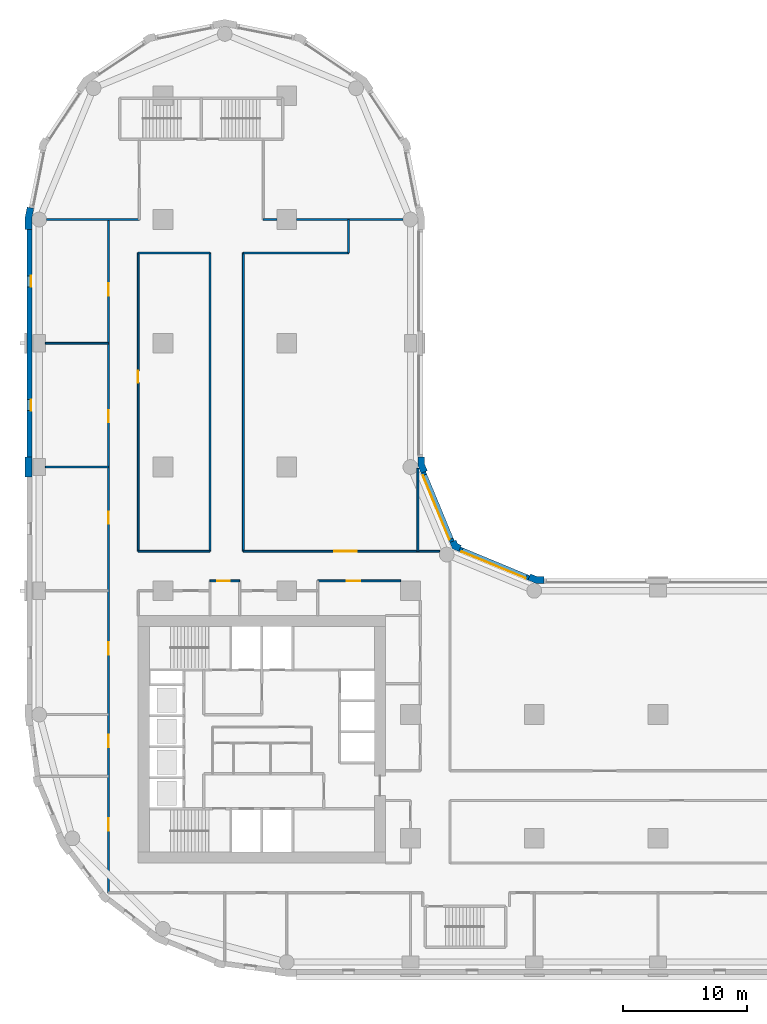
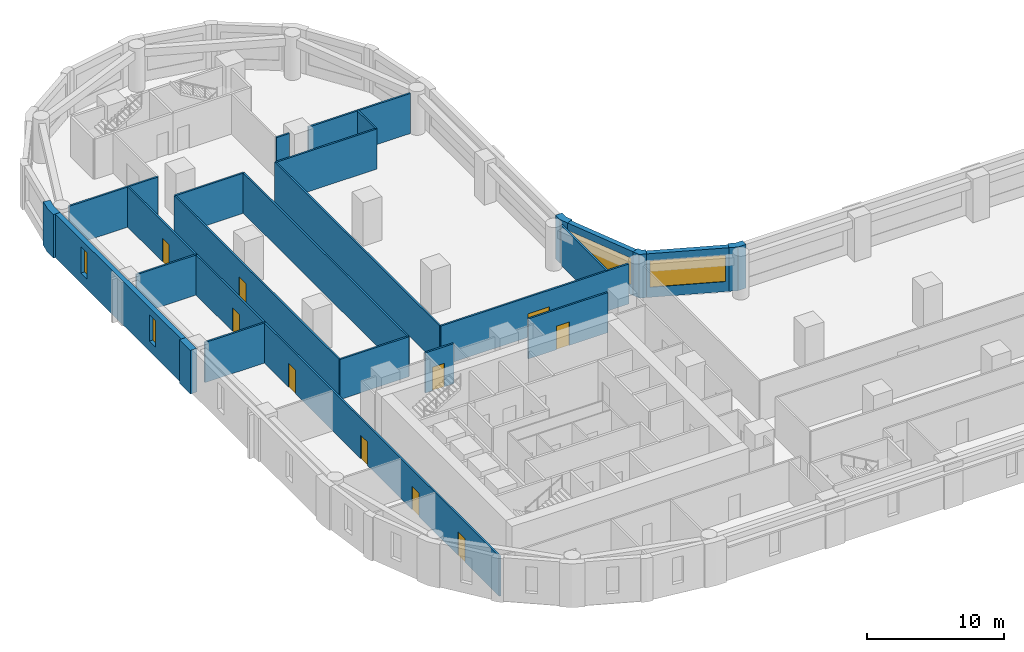
# One storey, part 5 of 10: 25 walls, 10 doors, 4 windows, 14 openings.
"""IFC4 building model written with IfcOpenShell, lengths in metres."""

from ifc_helpers import new_model, si_unit, direction, frame, frame_2d, origin, place, context, subcontext, project, spatial, polyline, rectangle, outline, extrude, material, layer, layer_set, type_object, element, fill, save


model = new_model("IFC4")

# Units and contexts
model_context = context("Model", 3, precision=1e-05, world=origin(), true_north=direction((0.0, 1.0)))
body_context = subcontext(model_context, "Body", "Model", "MODEL_VIEW")
ifc_project = project(units=[si_unit("LENGTHUNIT", "METRE"), si_unit("AREAUNIT", "SQUARE_METRE"), si_unit("VOLUMEUNIT", "CUBIC_METRE"), si_unit("PLANEANGLEUNIT", "RADIAN"), si_unit("MASSUNIT", "GRAM", prefix="KILO")], contexts=[model_context])

# Site, building, storey
site_placement = place(None, origin())
site = spatial("IfcSite", under=ifc_project, at=site_placement, CompositionType="ELEMENT")
building_placement = place(site_placement, origin())
building = spatial("IfcBuilding", under=site, at=building_placement, Name="Qaws Garden Tower", CompositionType="ELEMENT")
storey_placement = place(building_placement, frame((0.0, 0.0, 47.10009765625)))
storey = spatial("IfcBuildingStorey", under=building, at=storey_placement, Name="L11", CompositionType="ELEMENT", Elevation=47.10009765625)

# Wall, opening, window
ifc_material_1 = material(Name="Clay facing brick masonry", Category="masonry")
ifc_layer_1 = layer(ifc_material_1, 0.39990234375)
ifc_layer_set_1 = layer_set([ifc_layer_1], Name="Clay facing brick masonry")
wall_type_1 = type_object("IfcWallType", Name="Brick infill wall 400", PredefinedType="SOLIDWALL", material=ifc_layer_set_1)
wall_1_placement = place(storey_placement, frame((39.56689453125, 31.04541015625, 0.0), z_axis=(0.0, 0.0, 1.0), x_axis=(-0.923891000409, 0.382655745237, 0.0)))
wall_1 = element("IfcWall", 1, at=wall_1_placement, inside=storey, type_object=wall_type_1, Name="E-L11-infill-11", PredefinedType="SOLIDWALL", context=body_context, shape_type="SweptSolid", body=[
    extrude(rectangle(XDim=6.053466796875, YDim=0.39990234375, at=frame_2d((3.02685546875, 0.0))), origin(), (0.0, 0.0, 1.0), 3.89990234375),
])
opening_1_placement = place(wall_1_placement, frame((0.226806640625, 0.0, 0.89990234375)))
opening_1 = element("IfcOpeningElement", 2, at=opening_1_placement, cuts=wall_1, Name="Opening W04", PredefinedType="OPENING", context=body_context, shape_type="SweptSolid", body=[
    extrude(rectangle(XDim=5.60009765625, YDim=2.35009765625, at=frame_2d((2.800048828125, 1.175048828125))), frame((0.0, 0.2099609375, 0.0), z_axis=(0.0, -1.0, 0.0), x_axis=(1.0, 0.0, 0.0)), (0.0, 0.0, 1.0), 0.419921875),
])
ifc_material_2 = material(Name="Aluminium framed window, clear glazing", Category="aluminium")
window_type_1 = type_object("IfcWindowType", Name="Ribbon window 5600 x 2350", PartitioningType="DOUBLE_PANEL_VERTICAL", PredefinedType="WINDOW", material=ifc_material_2)
window_1_placement = place(opening_1_placement, origin())
window_1 = element("IfcWindow", 3, at=window_1_placement, inside=storey, type_object=window_type_1, Name="E-L11-window-11-0", OverallHeight=2.35009765625, OverallWidth=5.60009765625, PartitioningType="SINGLE_PANEL", PredefinedType="WINDOW", context=body_context, shape_type="SweptSolid", body=[
    extrude(rectangle(XDim=5.60009765625, YDim=2.35009765625, at=frame_2d((2.800048828125, 1.175048828125))), frame((0.0, 0.159912109375, 0.0), z_axis=(0.0, -1.0, 0.0), x_axis=(1.0, 0.0, 0.0)), (0.0, 0.0, 1.0), 0.06005859375),
])
fill(opening_1, window_1)

wall_2_placement = place(storey_placement, frame((33.36181640625, 33.97412109375, 0.0), z_axis=(0.0, 0.0, 1.0), x_axis=(-0.382655745237, 0.923891000409, 0.0)))
wall_2 = element("IfcWall", 4, at=wall_2_placement, inside=storey, type_object=wall_type_1, Name="E-L11-infill-12", PredefinedType="SOLIDWALL", context=body_context, shape_type="SweptSolid", body=[
    extrude(rectangle(XDim=6.053466796875, YDim=0.39990234375, at=frame_2d((3.02685546875, 0.0))), origin(), (0.0, 0.0, 1.0), 3.89990234375),
])
opening_2_placement = place(wall_2_placement, frame((0.226806640625, 0.0, 0.89990234375)))
opening_2 = element("IfcOpeningElement", 5, at=opening_2_placement, cuts=wall_2, Name="Opening W04", PredefinedType="OPENING", context=body_context, shape_type="SweptSolid", body=[
    extrude(rectangle(XDim=5.60009765625, YDim=2.35009765625, at=frame_2d((2.800048828125, 1.175048828125))), frame((0.0, 0.2099609375, 0.0), z_axis=(0.0, -1.0, 0.0), x_axis=(1.0, 0.0, 0.0)), (0.0, 0.0, 1.0), 0.419921875),
])
window_2_placement = place(opening_2_placement, origin())
window_2 = element("IfcWindow", 6, at=window_2_placement, inside=storey, type_object=window_type_1, Name="E-L11-window-12-0", OverallHeight=2.35009765625, OverallWidth=5.60009765625, PartitioningType="SINGLE_PANEL", PredefinedType="WINDOW", context=body_context, shape_type="SweptSolid", body=[
    extrude(rectangle(XDim=5.60009765625, YDim=2.35009765625, at=frame_2d((2.800048828125, 1.175048828125))), frame((0.0, 0.159912109375, 0.0), z_axis=(0.0, -1.0, 0.0), x_axis=(1.0, 0.0, 0.0)), (0.0, 0.0, 1.0), 0.06005859375),
])
fill(opening_2, window_2)

# Wall, openings, windows
wall_3_placement = place(storey_placement, frame((-0.800048828125, 59.199951171875, 0.0), z_axis=(0.0, 0.0, 1.0), x_axis=(0.0, -1.0, 0.0)))
wall_3 = element("IfcWall", 7, at=wall_3_placement, inside=storey, type_object=wall_type_1, Name="E-L11-infill-23", PredefinedType="SOLIDWALL", context=body_context, shape_type="SweptSolid", body=[
    extrude(rectangle(XDim=18.39990234375, YDim=0.39990234375, at=frame_2d((9.199951171875, 0.0))), origin(), (0.0, 0.0, 1.0), 3.89990234375),
])
opening_3_placement = place(wall_3_placement, frame((3.75, 0.0, 0.89990234375)))
opening_3 = element("IfcOpeningElement", 8, at=opening_3_placement, cuts=wall_3, Name="Opening W09", PredefinedType="OPENING", context=body_context, shape_type="SweptSolid", body=[
    extrude(rectangle(XDim=0.89990234375, YDim=2.35009765625, at=frame_2d((0.449951171875, 1.175048828125))), frame((0.0, 0.2099609375, 0.0), z_axis=(0.0, -1.0, 0.0), x_axis=(1.0, 0.0, 0.0)), (0.0, 0.0, 1.0), 0.419921875),
])
opening_4_placement = place(wall_3_placement, frame((13.75, 0.0, 0.89990234375)))
opening_4 = element("IfcOpeningElement", 9, at=opening_4_placement, cuts=wall_3, Name="Opening W09", PredefinedType="OPENING", context=body_context, shape_type="SweptSolid", body=[
    extrude(rectangle(XDim=0.89990234375, YDim=2.35009765625, at=frame_2d((0.449951171875, 1.175048828125))), frame((0.0, 0.2099609375, 0.0), z_axis=(0.0, -1.0, 0.0), x_axis=(1.0, 0.0, 0.0)), (0.0, 0.0, 1.0), 0.419921875),
])
ifc_material_3 = material(Name="Aluminium framed window, clear glazing", Category="aluminium")
window_type_2 = type_object("IfcWindowType", Name="Slit window 900 x 2350", PartitioningType="SINGLE_PANEL", PredefinedType="WINDOW", material=ifc_material_3)
window_3_placement = place(opening_3_placement, origin())
window_3 = element("IfcWindow", 10, at=window_3_placement, inside=storey, type_object=window_type_2, Name="E-L11-window-23-0", OverallHeight=2.35009765625, OverallWidth=0.89990234375, PartitioningType="SINGLE_PANEL", PredefinedType="WINDOW", context=body_context, shape_type="SweptSolid", body=[
    extrude(rectangle(XDim=0.89990234375, YDim=2.35009765625, at=frame_2d((0.449951171875, 1.175048828125))), frame((0.0, 0.159912109375, 0.0), z_axis=(0.0, -1.0, 0.0), x_axis=(1.0, 0.0, 0.0)), (0.0, 0.0, 1.0), 0.06005859375),
])
fill(opening_3, window_3)
window_4_placement = place(opening_4_placement, origin())
window_4 = element("IfcWindow", 11, at=window_4_placement, inside=storey, type_object=window_type_2, Name="E-L11-window-24-0", OverallHeight=2.35009765625, OverallWidth=0.89990234375, PartitioningType="SINGLE_PANEL", PredefinedType="WINDOW", context=body_context, shape_type="SweptSolid", body=[
    extrude(rectangle(XDim=0.89990234375, YDim=2.35009765625, at=frame_2d((0.449951171875, 1.175048828125))), frame((0.0, 0.159912109375, 0.0), z_axis=(0.0, -1.0, 0.0), x_axis=(1.0, 0.0, 0.0)), (0.0, 0.0, 1.0), 0.06005859375),
])
fill(opening_4, window_4)

# Walls
ifc_material_4 = material(Name="Clay facing brick masonry", Category="masonry")
ifc_layer_2 = layer(ifc_material_4, 0.550048828125)
ifc_layer_set_2 = layer_set([ifc_layer_2], Name="Clay facing brick masonry")
wall_type_2 = type_object("IfcWallType", Name="Brick pier 550 x 1600", PredefinedType="SOLIDWALL", material=ifc_layer_set_2)
placement = place(storey_placement, origin())
element("IfcWall", 12, at=placement, inside=storey, type_object=wall_type_2, Name="E-L11-pier-11", PredefinedType="SOLIDWALL", context=body_context, shape_type="SweptSolid", body=[
    extrude(outline(polyline([(40.800048828125, 31.0), (40.800048828125, 31.14990234375), (40.228759765625, 31.14990234375), (39.700927734375, 31.36865234375), (39.6435546875, 31.22998046875), (39.490478515625, 30.860595703125), (40.119384765625, 30.60009765625), (40.800048828125, 30.60009765625), (40.800048828125, 31.0)])), origin(), (0.0, 0.0, 1.0), 3.89990234375),
])
element("IfcWall", 13, at=placement, inside=storey, type_object=wall_type_2, Name="E-L11-pier-12", PredefinedType="SOLIDWALL", context=body_context, shape_type="SweptSolid", body=[
    extrude(outline(polyline([(34.05078125, 33.546630859375), (34.108154296875, 33.685302734375), (33.80908203125, 33.80908203125), (33.685302734375, 34.108154296875), (33.546630859375, 34.05078125), (33.177001953125, 33.897705078125), (33.38818359375, 33.38818359375), (33.897705078125, 33.177001953125), (34.05078125, 33.546630859375)])), origin(), (0.0, 0.0, 1.0), 3.89990234375),
])
element("IfcWall", 14, at=placement, inside=storey, type_object=wall_type_2, Name="E-L11-pier-13", PredefinedType="SOLIDWALL", context=body_context, shape_type="SweptSolid", body=[
    extrude(outline(polyline([(31.22998046875, 39.6435546875), (31.36865234375, 39.700927734375), (31.14990234375, 40.228759765625), (31.14990234375, 40.800048828125), (31.0, 40.800048828125), (30.60009765625, 40.800048828125), (30.60009765625, 40.119384765625), (30.860595703125, 39.490478515625), (31.22998046875, 39.6435546875)])), origin(), (0.0, 0.0, 1.0), 3.89990234375),
])
element("IfcWall", 15, at=placement, inside=storey, type_object=wall_type_2, Name="E-L11-pier-23", PredefinedType="SOLIDWALL", context=body_context, shape_type="SweptSolid", body=[
    extrude(outline(polyline([(-0.82470703125, 60.979736328125), (-0.971923828125, 61.009033203125), (-1.14990234375, 60.11328125), (-1.14990234375, 59.199951171875), (-1.0, 59.199951171875), (-0.60009765625, 59.199951171875), (-0.60009765625, 60.05908203125), (-0.432373046875, 60.901611328125), (-0.82470703125, 60.979736328125)])), origin(), (0.0, 0.0, 1.0), 3.89990234375),
])
element("IfcWall", 16, at=placement, inside=storey, type_object=wall_type_2, Name="E-L11-pier-25", PredefinedType="SOLIDWALL", context=body_context, shape_type="SweptSolid", body=[
    extrude(outline(polyline([(-1.0, 40.800048828125), (-1.14990234375, 40.800048828125), (-1.14990234375, 40.0), (-1.14990234375, 39.199951171875), (-1.0, 39.199951171875), (-0.60009765625, 39.199951171875), (-0.60009765625, 40.0), (-0.60009765625, 40.800048828125), (-1.0, 40.800048828125)])), origin(), (0.0, 0.0, 1.0), 3.89990234375),
])

# Wall, openings, doors
ifc_material_5 = material(Name="Gypsum board partition")
ifc_layer_3 = layer(ifc_material_5, 0.14990234375)
ifc_layer_set_3 = layer_set([ifc_layer_3], Name="Gypsum board partition")
wall_type_3 = type_object("IfcWallType", Name="PARTITION 150 EI 60", PredefinedType="PARTITIONING", material=ifc_layer_set_3)
wall_9_placement = place(storey_placement, frame((5.60009765625, 5.60009765625, 0.0), z_axis=(0.0, 0.0, 1.0), x_axis=(0.0, 1.0, 0.0)))
wall_9 = element("IfcWall", 17, at=wall_9_placement, inside=storey, type_object=wall_type_3, Name="O-L11-wall-001", PredefinedType="PARTITIONING", context=body_context, shape_type="SweptSolid", body=[
    extrude(rectangle(XDim=54.39990234375, YDim=0.14990234375, at=frame_2d((27.199951171875, 0.0))), origin(), (0.0, 0.0, 1.0), 3.579833984375),
])
opening_5_placement = place(wall_9_placement, frame((5.0, 0.0, 0.0)))
opening_5 = element("IfcOpeningElement", 18, at=opening_5_placement, cuts=wall_9, Name="Opening A401", PredefinedType="OPENING", context=body_context, shape_type="SweptSolid", body=[
    extrude(rectangle(XDim=1.0, YDim=2.10009765625, at=frame_2d((0.5, 1.050048828125))), frame((0.0, 0.0849609375, 0.0), z_axis=(0.0, -1.0, 0.0), x_axis=(1.0, 0.0, 0.0)), (0.0, 0.0, 1.0), 0.169921875),
])
opening_6_placement = place(wall_9_placement, frame((11.75, 0.0, 0.0)))
opening_6 = element("IfcOpeningElement", 19, at=opening_6_placement, cuts=wall_9, Name="Opening A402", PredefinedType="OPENING", context=body_context, shape_type="SweptSolid", body=[
    extrude(rectangle(XDim=1.0, YDim=2.10009765625, at=frame_2d((0.5, 1.050048828125))), frame((0.0, 0.0849609375, 0.0), z_axis=(0.0, -1.0, 0.0), x_axis=(1.0, 0.0, 0.0)), (0.0, 0.0, 1.0), 0.169921875),
])
opening_7_placement = place(wall_9_placement, frame((19.25, 0.0, 0.0)))
opening_7 = element("IfcOpeningElement", 20, at=opening_7_placement, cuts=wall_9, Name="Opening A413", PredefinedType="OPENING", context=body_context, shape_type="SweptSolid", body=[
    extrude(rectangle(XDim=1.0, YDim=2.10009765625, at=frame_2d((0.5, 1.050048828125))), frame((0.0, 0.0849609375, 0.0), z_axis=(0.0, -1.0, 0.0), x_axis=(1.0, 0.0, 0.0)), (0.0, 0.0, 1.0), 0.169921875),
])
opening_8_placement = place(wall_9_placement, frame((29.800048828125, 0.0, 0.0)))
opening_8 = element("IfcOpeningElement", 21, at=opening_8_placement, cuts=wall_9, Name="Opening A418", PredefinedType="OPENING", context=body_context, shape_type="SweptSolid", body=[
    extrude(rectangle(XDim=1.0, YDim=2.10009765625, at=frame_2d((0.5, 1.050048828125))), frame((0.0, 0.0849609375, 0.0), z_axis=(0.0, -1.0, 0.0), x_axis=(1.0, 0.0, 0.0)), (0.0, 0.0, 1.0), 0.169921875),
])
opening_9_placement = place(wall_9_placement, frame((38.0, 0.0, 0.0)))
opening_9 = element("IfcOpeningElement", 22, at=opening_9_placement, cuts=wall_9, Name="Opening A419", PredefinedType="OPENING", context=body_context, shape_type="SweptSolid", body=[
    extrude(rectangle(XDim=1.0, YDim=2.10009765625, at=frame_2d((0.5, 1.050048828125))), frame((0.0, 0.0849609375, 0.0), z_axis=(0.0, -1.0, 0.0), x_axis=(1.0, 0.0, 0.0)), (0.0, 0.0, 1.0), 0.169921875),
])
opening_10_placement = place(wall_9_placement, frame((48.25, 0.0, 0.0)))
opening_10 = element("IfcOpeningElement", 23, at=opening_10_placement, cuts=wall_9, Name="Opening A420", PredefinedType="OPENING", context=body_context, shape_type="SweptSolid", body=[
    extrude(rectangle(XDim=1.0, YDim=2.10009765625, at=frame_2d((0.5, 1.050048828125))), frame((0.0, 0.0849609375, 0.0), z_axis=(0.0, -1.0, 0.0), x_axis=(1.0, 0.0, 0.0)), (0.0, 0.0, 1.0), 0.169921875),
])
ifc_material_6 = material(Name="Timber door leaf", Category="wood")
door_type_1 = type_object("IfcDoorType", Name="TENANCY ENTRANCE DOOR 1000 X 2100", OperationType="SINGLE_SWING_LEFT", PredefinedType="DOOR", material=ifc_material_6)
door_1_placement = place(opening_5_placement, origin())
door_1 = element("IfcDoor", 24, at=door_1_placement, inside=storey, type_object=door_type_1, Name="O-L11-door-001", OperationType="SINGLE_SWING_RIGHT", OverallHeight=2.10009765625, OverallWidth=1.0, PredefinedType="DOOR", context=body_context, shape_type="SweptSolid", body=[
    extrude(rectangle(XDim=1.0, YDim=2.10009765625, at=frame_2d((0.5, 1.050048828125))), frame((0.0, 0.02490234375, 0.0), z_axis=(0.0, -1.0, 0.0), x_axis=(1.0, 0.0, 0.0)), (0.0, 0.0, 1.0), 0.050048828125),
])
fill(opening_5, door_1)
door_2_placement = place(opening_6_placement, origin())
door_2 = element("IfcDoor", 25, at=door_2_placement, inside=storey, type_object=door_type_1, Name="O-L11-door-002", OperationType="SINGLE_SWING_RIGHT", OverallHeight=2.10009765625, OverallWidth=1.0, PredefinedType="DOOR", context=body_context, shape_type="SweptSolid", body=[
    extrude(rectangle(XDim=1.0, YDim=2.10009765625, at=frame_2d((0.5, 1.050048828125))), frame((0.0, 0.02490234375, 0.0), z_axis=(0.0, -1.0, 0.0), x_axis=(1.0, 0.0, 0.0)), (0.0, 0.0, 1.0), 0.050048828125),
])
fill(opening_6, door_2)
door_3_placement = place(opening_7_placement, origin())
door_3 = element("IfcDoor", 26, at=door_3_placement, inside=storey, type_object=door_type_1, Name="O-L11-door-013", OperationType="SINGLE_SWING_RIGHT", OverallHeight=2.10009765625, OverallWidth=1.0, PredefinedType="DOOR", context=body_context, shape_type="SweptSolid", body=[
    extrude(rectangle(XDim=1.0, YDim=2.10009765625, at=frame_2d((0.5, 1.050048828125))), frame((0.0, 0.02490234375, 0.0), z_axis=(0.0, -1.0, 0.0), x_axis=(1.0, 0.0, 0.0)), (0.0, 0.0, 1.0), 0.050048828125),
])
fill(opening_7, door_3)
door_4_placement = place(opening_8_placement, origin())
door_4 = element("IfcDoor", 27, at=door_4_placement, inside=storey, type_object=door_type_1, Name="O-L11-door-018", OperationType="SINGLE_SWING_LEFT", OverallHeight=2.10009765625, OverallWidth=1.0, PredefinedType="DOOR", context=body_context, shape_type="SweptSolid", body=[
    extrude(rectangle(XDim=1.0, YDim=2.10009765625, at=frame_2d((0.5, 1.050048828125))), frame((0.0, 0.02490234375, 0.0), z_axis=(0.0, -1.0, 0.0), x_axis=(1.0, 0.0, 0.0)), (0.0, 0.0, 1.0), 0.050048828125),
])
fill(opening_8, door_4)
door_5_placement = place(opening_9_placement, origin())
door_5 = element("IfcDoor", 28, at=door_5_placement, inside=storey, type_object=door_type_1, Name="O-L11-door-019", OperationType="SINGLE_SWING_LEFT", OverallHeight=2.10009765625, OverallWidth=1.0, PredefinedType="DOOR", context=body_context, shape_type="SweptSolid", body=[
    extrude(rectangle(XDim=1.0, YDim=2.10009765625, at=frame_2d((0.5, 1.050048828125))), frame((0.0, 0.02490234375, 0.0), z_axis=(0.0, -1.0, 0.0), x_axis=(1.0, 0.0, 0.0)), (0.0, 0.0, 1.0), 0.050048828125),
])
fill(opening_9, door_5)
door_6_placement = place(opening_10_placement, origin())
door_6 = element("IfcDoor", 29, at=door_6_placement, inside=storey, type_object=door_type_1, Name="O-L11-door-020", OperationType="SINGLE_SWING_LEFT", OverallHeight=2.10009765625, OverallWidth=1.0, PredefinedType="DOOR", context=body_context, shape_type="SweptSolid", body=[
    extrude(rectangle(XDim=1.0, YDim=2.10009765625, at=frame_2d((0.5, 1.050048828125))), frame((0.0, 0.02490234375, 0.0), z_axis=(0.0, -1.0, 0.0), x_axis=(1.0, 0.0, 0.0)), (0.0, 0.0, 1.0), 0.050048828125),
])
fill(opening_10, door_6)

# Wall, opening, door
wall_10_placement = place(storey_placement, frame((8.0, 33.199951171875, 0.0), z_axis=(0.0, 0.0, 1.0), x_axis=(0.0, 1.0, 0.0)))
wall_10 = element("IfcWall", 30, at=wall_10_placement, inside=storey, type_object=wall_type_3, Name="O-L11-wall-003", PredefinedType="PARTITIONING", context=body_context, shape_type="SweptSolid", body=[
    extrude(rectangle(XDim=24.10009765625, YDim=0.14990234375, at=frame_2d((12.050048828125, 0.0))), origin(), (0.0, 0.0, 1.0), 3.579833984375),
])
opening_11_placement = place(wall_10_placement, frame((13.60009765625, 0.0, 0.0)))
opening_11 = element("IfcOpeningElement", 31, at=opening_11_placement, cuts=wall_10, Name="Opening A414", PredefinedType="OPENING", context=body_context, shape_type="SweptSolid", body=[
    extrude(rectangle(XDim=1.0, YDim=2.10009765625, at=frame_2d((0.5, 1.050048828125))), frame((0.0, 0.0849609375, 0.0), z_axis=(0.0, -1.0, 0.0), x_axis=(1.0, 0.0, 0.0)), (0.0, 0.0, 1.0), 0.169921875),
])
door_7_placement = place(opening_11_placement, frame((1.0, 0.0, 0.0), z_axis=(0.0, 0.0, 1.0), x_axis=(-1.0, 0.0, 0.0)))
door_7 = element("IfcDoor", 32, at=door_7_placement, inside=storey, type_object=door_type_1, Name="O-L11-door-014", OperationType="SINGLE_SWING_RIGHT", OverallHeight=2.10009765625, OverallWidth=1.0, PredefinedType="DOOR", context=body_context, shape_type="SweptSolid", body=[
    extrude(rectangle(XDim=1.0, YDim=2.10009765625, at=frame_2d((0.5, 1.050048828125))), frame((0.0, 0.02490234375, 0.0), z_axis=(0.0, -1.0, 0.0), x_axis=(1.0, 0.0, 0.0)), (0.0, 0.0, 1.0), 0.050048828125),
])
fill(opening_11, door_7)

# Walls
for number, where, z_axis, x_axis, name in (
    (33, (13.800048828125, 33.199951171875, 0.0), (0.0, 0.0, 1.0), (0.0, 1.0, 0.0), "O-L11-wall-006"),
    (34, (16.5, 33.199951171875, 0.0), (0.0, 0.0, 1.0), (0.0, 1.0, 0.0), "O-L11-wall-009"),
):
    element("IfcWall", number, at=place(storey_placement, frame(where, z_axis=z_axis, x_axis=x_axis)), inside=storey, type_object=wall_type_3, Name=name, PredefinedType="PARTITIONING", context=body_context, shape_type="SweptSolid", body=[
        extrude(rectangle(XDim=24.10009765625, YDim=0.14990234375, at=frame_2d((12.050048828125, 0.0))), origin(), (0.0, 0.0, 1.0), 3.579833984375),
    ])
wall_11_placement = place(storey_placement, frame((25.0, 57.300048828125, 0.0), z_axis=(0.0, 0.0, 1.0), x_axis=(0.0, 1.0, 0.0)))
element("IfcWall", 35, at=wall_11_placement, inside=storey, type_object=wall_type_3, Name="O-L11-wall-013", PredefinedType="PARTITIONING", context=body_context, shape_type="SweptSolid", body=[
    extrude(rectangle(XDim=2.699951171875, YDim=0.14990234375, at=frame_2d((1.35009765625, 0.0))), origin(), (0.0, 0.0, 1.0), 3.579833984375),
])
wall_12_placement = place(storey_placement, frame((30.60009765625, 33.199951171875, 0.0), z_axis=(0.0, 0.0, 1.0), x_axis=(0.0, 1.0, 0.0)))
element("IfcWall", 36, at=wall_12_placement, inside=storey, type_object=wall_type_3, Name="O-L11-wall-017", PredefinedType="PARTITIONING", context=body_context, shape_type="SweptSolid", body=[
    extrude(rectangle(XDim=6.698974609375, YDim=0.14990234375, at=frame_2d((3.349609375, 0.0))), origin(), (0.0, 0.0, 1.0), 3.579833984375),
])

# Wall, opening, door
wall_13_placement = place(storey_placement, frame((13.800048828125, 30.800048828125, 0.0), z_axis=(0.0, 0.0, 1.0), x_axis=(1.0, 0.0, 0.0)))
wall_13 = element("IfcWall", 37, at=wall_13_placement, inside=storey, type_object=wall_type_3, Name="O-L11-wall-046", PredefinedType="PARTITIONING", context=body_context, shape_type="SweptSolid", body=[
    extrude(rectangle(XDim=2.39990234375, YDim=0.14990234375, at=frame_2d((1.199951171875, 0.0))), origin(), (0.0, 0.0, 1.0), 3.579833984375),
])
opening_12_placement = place(wall_13_placement, frame((0.60009765625, 0.0, 0.0)))
opening_12 = element("IfcOpeningElement", 38, at=opening_12_placement, cuts=wall_13, Name="Opening A417", PredefinedType="OPENING", context=body_context, shape_type="SweptSolid", body=[
    extrude(rectangle(XDim=1.0, YDim=2.10009765625, at=frame_2d((0.5, 1.050048828125))), frame((0.0, 0.0849609375, 0.0), z_axis=(0.0, -1.0, 0.0), x_axis=(1.0, 0.0, 0.0)), (0.0, 0.0, 1.0), 0.169921875),
])
door_8_placement = place(opening_12_placement, frame((1.0, 0.0, 0.0), z_axis=(0.0, 0.0, 1.0), x_axis=(-1.0, 0.0, 0.0)))
door_8 = element("IfcDoor", 39, at=door_8_placement, inside=storey, type_object=door_type_1, Name="O-L11-door-017", OperationType="SINGLE_SWING_RIGHT", OverallHeight=2.10009765625, OverallWidth=1.0, PredefinedType="DOOR", context=body_context, shape_type="SweptSolid", body=[
    extrude(rectangle(XDim=1.0, YDim=2.10009765625, at=frame_2d((0.5, 1.050048828125))), frame((0.0, 0.02490234375, 0.0), z_axis=(0.0, -1.0, 0.0), x_axis=(1.0, 0.0, 0.0)), (0.0, 0.0, 1.0), 0.050048828125),
])
fill(opening_12, door_8)

wall_14_placement = place(storey_placement, frame((22.5, 30.800048828125, 0.0), z_axis=(0.0, 0.0, 1.0), x_axis=(1.0, 0.0, 0.0)))
wall_14 = element("IfcWall", 40, at=wall_14_placement, inside=storey, type_object=wall_type_3, Name="O-L11-wall-047", PredefinedType="PARTITIONING", context=body_context, shape_type="SweptSolid", body=[
    extrude(rectangle(XDim=6.699951171875, YDim=0.14990234375, at=frame_2d((3.35009765625, 0.0))), origin(), (0.0, 0.0, 1.0), 3.579833984375),
])
opening_13_placement = place(wall_14_placement, frame((2.35009765625, 0.0, 0.0)))
opening_13 = element("IfcOpeningElement", 41, at=opening_13_placement, cuts=wall_14, Name="Opening A412", PredefinedType="OPENING", context=body_context, shape_type="SweptSolid", body=[
    extrude(rectangle(XDim=1.10009765625, YDim=2.10009765625, at=frame_2d((0.550048828125, 1.050048828125))), frame((0.0, 0.0849609375, 0.0), z_axis=(0.0, -1.0, 0.0), x_axis=(1.0, 0.0, 0.0)), (0.0, 0.0, 1.0), 0.169921875),
])
ifc_material_7 = material(Name="Timber door leaf", Category="wood")
door_type_2 = type_object("IfcDoorType", Name="SERVICE ROOM DOOR 1100 X 2100", OperationType="SINGLE_SWING_LEFT", PredefinedType="DOOR", material=ifc_material_7)
door_9_placement = place(opening_13_placement, frame((1.10009765625, 0.0, 0.0), z_axis=(0.0, 0.0, 1.0), x_axis=(-1.0, 0.0, 0.0)))
door_9 = element("IfcDoor", 42, at=door_9_placement, inside=storey, type_object=door_type_2, Name="O-L11-door-012", OperationType="SINGLE_SWING_LEFT", OverallHeight=2.10009765625, OverallWidth=1.10009765625, PredefinedType="DOOR", context=body_context, shape_type="SweptSolid", body=[
    extrude(rectangle(XDim=1.10009765625, YDim=2.10009765625, at=frame_2d((0.550048828125, 1.050048828125))), frame((0.0, 0.02490234375, 0.0), z_axis=(0.0, -1.0, 0.0), x_axis=(1.0, 0.0, 0.0)), (0.0, 0.0, 1.0), 0.050048828125),
])
fill(opening_13, door_9)

# Wall
wall_15_placement = place(storey_placement, frame((8.0, 33.199951171875, 0.0), z_axis=(0.0, 0.0, 1.0), x_axis=(1.0, 0.0, 0.0)))
element("IfcWall", 43, at=wall_15_placement, inside=storey, type_object=wall_type_3, Name="O-L11-wall-048", PredefinedType="PARTITIONING", context=body_context, shape_type="SweptSolid", body=[
    extrude(rectangle(XDim=5.800048828125, YDim=0.14990234375, at=frame_2d((2.89990234375, 0.0))), origin(), (0.0, 0.0, 1.0), 3.579833984375),
])

# Wall, opening, door
wall_16_placement = place(storey_placement, frame((16.5, 33.199951171875, 0.0), z_axis=(0.0, 0.0, 1.0), x_axis=(1.0, 0.0, 0.0)))
wall_16 = element("IfcWall", 44, at=wall_16_placement, inside=storey, type_object=wall_type_3, Name="O-L11-wall-049", PredefinedType="PARTITIONING", context=body_context, shape_type="SweptSolid", body=[
    extrude(rectangle(XDim=15.862060546875, YDim=0.14990234375, at=frame_2d((7.93115234375, 0.0))), origin(), (0.0, 0.0, 1.0), 3.579833984375),
])
opening_14_placement = place(wall_16_placement, frame((7.35009765625, 0.0, 0.0)))
opening_14 = element("IfcOpeningElement", 45, at=opening_14_placement, cuts=wall_16, Name="Opening A415", PredefinedType="OPENING", context=body_context, shape_type="SweptSolid", body=[
    extrude(rectangle(XDim=1.800048828125, YDim=2.10009765625, at=frame_2d((0.89990234375, 1.050048828125))), frame((0.0, 0.0849609375, 0.0), z_axis=(0.0, -1.0, 0.0), x_axis=(1.0, 0.0, 0.0)), (0.0, 0.0, 1.0), 0.169921875),
])
ifc_material_8 = material(Name="Timber door leaf", Category="wood")
door_type_3 = type_object("IfcDoorType", Name="DOUBLE DOOR 1800 X 2100", OperationType="DOUBLE_DOOR_SINGLE_SWING", PredefinedType="DOOR", material=ifc_material_8)
door_10_placement = place(opening_14_placement, origin())
door_10 = element("IfcDoor", 46, at=door_10_placement, inside=storey, type_object=door_type_3, Name="O-L11-door-015", OperationType="DOUBLE_DOOR_SINGLE_SWING", OverallHeight=2.10009765625, OverallWidth=1.800048828125, PredefinedType="DOOR", context=body_context, shape_type="SweptSolid", body=[
    extrude(rectangle(XDim=1.800048828125, YDim=2.10009765625, at=frame_2d((0.89990234375, 1.050048828125))), frame((0.0, 0.02490234375, 0.0), z_axis=(0.0, -1.0, 0.0), x_axis=(1.0, 0.0, 0.0)), (0.0, 0.0, 1.0), 0.050048828125),
])
fill(opening_14, door_10)

# Walls
for number, where, z_axis, x_axis, name in (
    (47, (0.5, 40.0, 0.0), (0.0, 0.0, 1.0), (1.0, 0.0, 0.0), "O-L11-wall-050"),
    (48, (0.5, 50.0, 0.0), (0.0, 0.0, 1.0), (1.0, 0.0, 0.0), "O-L11-wall-051"),
):
    element("IfcWall", number, at=place(storey_placement, frame(where, z_axis=z_axis, x_axis=x_axis)), inside=storey, type_object=wall_type_3, Name=name, PredefinedType="PARTITIONING", context=body_context, shape_type="SweptSolid", body=[
        extrude(rectangle(XDim=5.10009765625, YDim=0.14990234375, at=frame_2d((2.550048828125, 0.0))), origin(), (0.0, 0.0, 1.0), 3.579833984375),
    ])
wall_17_placement = place(storey_placement, frame((8.0, 57.300048828125, 0.0), z_axis=(0.0, 0.0, 1.0), x_axis=(1.0, 0.0, 0.0)))
element("IfcWall", 49, at=wall_17_placement, inside=storey, type_object=wall_type_3, Name="O-L11-wall-052", PredefinedType="PARTITIONING", context=body_context, shape_type="SweptSolid", body=[
    extrude(rectangle(XDim=5.800048828125, YDim=0.14990234375, at=frame_2d((2.89990234375, 0.0))), origin(), (0.0, 0.0, 1.0), 3.579833984375),
])
wall_18_placement = place(storey_placement, frame((16.5, 57.300048828125, 0.0), z_axis=(0.0, 0.0, 1.0), x_axis=(1.0, 0.0, 0.0)))
element("IfcWall", 50, at=wall_18_placement, inside=storey, type_object=wall_type_3, Name="O-L11-wall-053", PredefinedType="PARTITIONING", context=body_context, shape_type="SweptSolid", body=[
    extrude(rectangle(XDim=8.5, YDim=0.14990234375, at=frame_2d((4.25, 0.0))), origin(), (0.0, 0.0, 1.0), 3.579833984375),
])
wall_19_placement = place(storey_placement, frame((0.60009765625, 60.0, 0.0), z_axis=(0.0, 0.0, 1.0), x_axis=(1.0, 0.0, 0.0)))
element("IfcWall", 51, at=wall_19_placement, inside=storey, type_object=wall_type_3, Name="O-L11-wall-054", PredefinedType="PARTITIONING", context=body_context, shape_type="SweptSolid", body=[
    extrude(rectangle(XDim=7.5, YDim=0.14990234375, at=frame_2d((3.75, 0.0))), origin(), (0.0, 0.0, 1.0), 3.579833984375),
])
wall_20_placement = place(storey_placement, frame((18.10009765625, 60.0, 0.0), z_axis=(0.0, 0.0, 1.0), x_axis=(1.0, 0.0, 0.0)))
element("IfcWall", 52, at=wall_20_placement, inside=storey, type_object=wall_type_3, Name="O-L11-wall-055", PredefinedType="PARTITIONING", context=body_context, shape_type="SweptSolid", body=[
    extrude(rectangle(XDim=1.099853515625, YDim=0.14990234375, at=frame_2d((0.5498046875, 0.0))), origin(), (0.0, 0.0, 1.0), 3.579833984375),
])
wall_21_placement = place(storey_placement, frame((20.800048828125, 60.0, 0.0), z_axis=(0.0, 0.0, 1.0), x_axis=(1.0, 0.0, 0.0)))
element("IfcWall", 53, at=wall_21_placement, inside=storey, type_object=wall_type_3, Name="O-L11-wall-056", PredefinedType="PARTITIONING", context=body_context, shape_type="SweptSolid", body=[
    extrude(rectangle(XDim=8.599853515625, YDim=0.14990234375, at=frame_2d((4.2998046875, 0.0))), origin(), (0.0, 0.0, 1.0), 3.579833984375),
])

save(model, "model.ifc")
